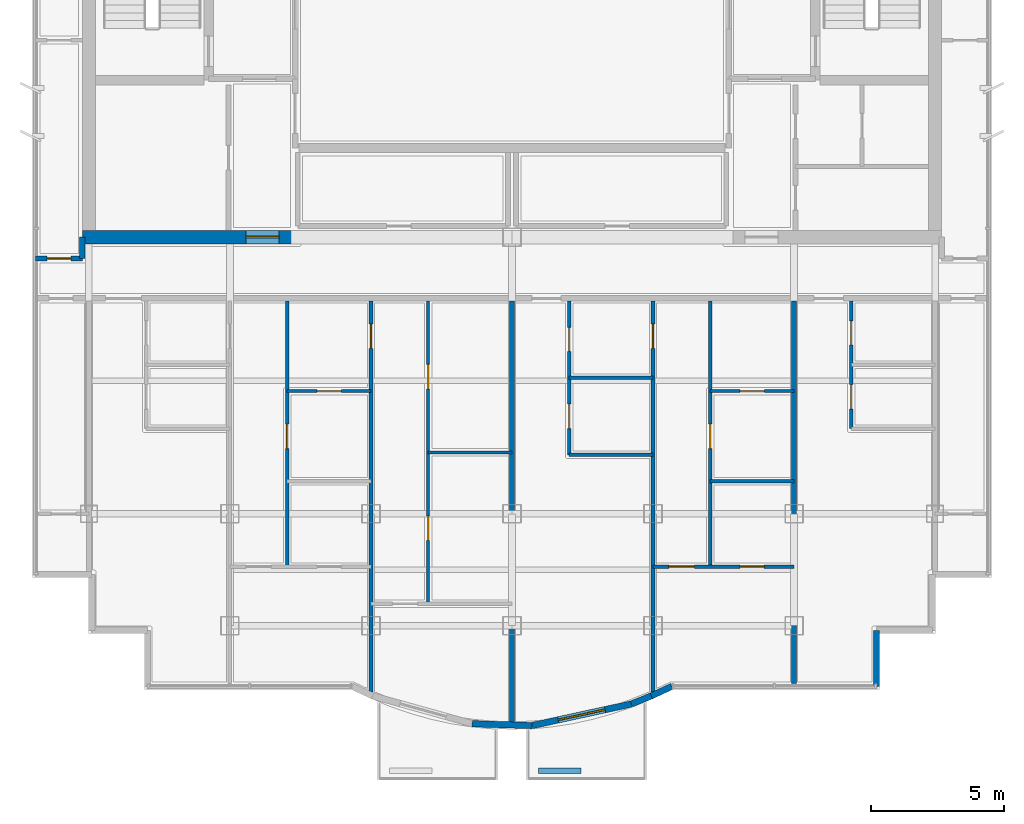
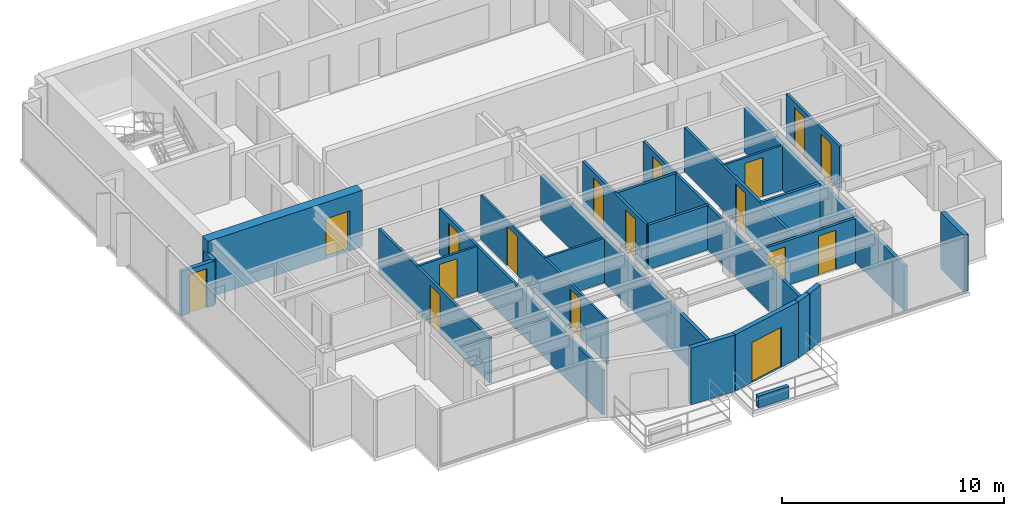
# One storey, part 6 of 11: 25 walls, 17 doors, 17 openings.
"""IFC4 building model written with IfcOpenShell, lengths in metres."""

from ifc_helpers import new_model, si_unit, direction, frame, frame_2d, origin, place, context, subcontext, project, spatial, rectangle, extrude, material, layer, layer_set, type_object, element, fill, save


model = new_model("IFC4")

# Units and contexts
model_context = context("Model", 3, precision=1e-05, world=origin(), true_north=direction((0.0, 1.0)))
body_context = subcontext(model_context, "Body", "Model", "MODEL_VIEW")
ifc_project = project(units=[si_unit("LENGTHUNIT", "METRE"), si_unit("AREAUNIT", "SQUARE_METRE"), si_unit("VOLUMEUNIT", "CUBIC_METRE"), si_unit("PLANEANGLEUNIT", "RADIAN"), si_unit("MASSUNIT", "GRAM", prefix="KILO")], contexts=[model_context])

# Site, building, storey
site_placement = place(None, origin())
site = spatial("IfcSite", under=ifc_project, at=site_placement, CompositionType="ELEMENT")
building_placement = place(site_placement, origin())
building = spatial("IfcBuilding", under=site, at=building_placement, Name="Qianlan Lanfeng Residences", CompositionType="ELEMENT")
storey_placement = place(building_placement, frame((0.0, 0.0, 256.10009765625)))
storey = spatial("IfcBuildingStorey", under=building, at=storey_placement, Name="L71", CompositionType="ELEMENT", Elevation=256.10009765625)

# Wall, opening, door
ifc_material_1 = material(Name="Concrete C70", Category="concrete")
ifc_layer_1 = layer(ifc_material_1, 0.5)
ifc_layer_set_1 = layer_set([ifc_layer_1], Name="Concrete C70")
wall_type_1 = type_object("IfcWallType", Name="CW-RC-500", PredefinedType="SHEAR", material=ifc_layer_set_1)
wall_1_placement = place(storey_placement, frame((10.35009765625, 25.199951171875, 0.0), z_axis=(0.0, 0.0, 1.0), x_axis=(1.0, 0.0, 0.0)))
wall_1 = element("IfcWall", 1, at=wall_1_placement, inside=storey, type_object=wall_type_1, Name="L71 Core Shear Wall SW", PredefinedType="SHEAR", context=body_context, shape_type="SweptSolid", body=[
    extrude(rectangle(XDim=8.0498046875, YDim=0.5, at=frame_2d((4.02490234375, 0.0))), origin(), (0.0, 0.0, 1.0), 3.10986328125),
])
opening_1_placement = place(wall_1_placement, frame((6.14990234375, 0.0, 0.0)))
opening_1 = element("IfcOpeningElement", 2, at=opening_1_placement, cuts=wall_1, Name="Opening L71-D01", PredefinedType="OPENING", context=body_context, shape_type="SweptSolid", body=[
    extrude(rectangle(XDim=1.25, YDim=2.199951171875, at=frame_2d((0.625, 1.10009765625))), frame((0.0, 0.260009765625, 0.0), z_axis=(0.0, -1.0, 0.0), x_axis=(1.0, 0.0, 0.0)), (0.0, 0.0, 1.0), 0.52001953125),
])
ifc_material_2 = material(Name="Painted Galvanised Steel Fire Door", Category="steel")
door_type_1 = type_object("IfcDoorType", Name="DT-FFL", OperationType="NOTDEFINED", PredefinedType="DOOR", material=ifc_material_2)
door_1_placement = place(opening_1_placement, frame((1.25, 0.0, 0.0), z_axis=(0.0, 0.0, 1.0), x_axis=(-1.0, 0.0, 0.0)))
door_1 = element("IfcDoor", 3, at=door_1_placement, inside=storey, type_object=door_type_1, Name="L71 West Core Lobby Smoke Door L71-D01 (DT-FFL)", OperationType="SINGLE_SWING_RIGHT", OverallHeight=2.199951171875, OverallWidth=1.25, PredefinedType="DOOR", context=body_context, shape_type="SweptSolid", body=[
    extrude(rectangle(XDim=1.25, YDim=2.199951171875, at=frame_2d((0.625, 1.10009765625))), frame((0.0, 0.02490234375, 0.0), z_axis=(0.0, -1.0, 0.0), x_axis=(1.0, 0.0, 0.0)), (0.0, 0.0, 1.0), 0.050048828125),
])
fill(opening_1, door_1)

# Wall
ifc_material_3 = material(Name="Concrete C42", Category="concrete")
ifc_layer_2 = layer(ifc_material_3, 0.239990234375)
ifc_layer_set_2 = layer_set([ifc_layer_2], Name="Concrete C42")
wall_type_2 = type_object("IfcWallType", Name="EW-240", PredefinedType="SOLIDWALL", material=ifc_layer_set_2)
wall_2_placement = place(storey_placement, frame((25.0048828125, 6.9130859375, 0.0), z_axis=(0.0, 0.0, 1.0), x_axis=(0.99951250052, -0.031221167572, 0.0)))
element("IfcWall", 4, at=wall_2_placement, inside=storey, type_object=wall_type_2, Name="L71 Exterior Facade Spandrel Wall 7", PredefinedType="SOLIDWALL", context=body_context, shape_type="SweptSolid", body=[
    extrude(rectangle(XDim=2.244140625, YDim=0.239990234375, at=frame_2d((1.1220703125, 0.0))), origin(), (0.0, 0.0, 1.0), 3.10986328125),
])

# Wall, opening, door
wall_3_placement = place(storey_placement, frame((27.248046875, 6.843017578125, 0.0), z_axis=(0.0, 0.0, 1.0), x_axis=(0.977126252677, 0.212660025225, 0.0)))
wall_3 = element("IfcWall", 5, at=wall_3_placement, inside=storey, type_object=wall_type_2, Name="L71 Terrace/Balcony Access Exterior Wall 8", PredefinedType="SOLIDWALL", context=body_context, shape_type="SweptSolid", body=[
    extrude(rectangle(XDim=3.82763671875, YDim=0.239990234375, at=frame_2d((1.913818359375, 0.0))), origin(), (0.0, 0.0, 1.0), 3.10986328125),
])
opening_2_placement = place(wall_3_placement, frame((1.013916015625, 0.0, 0.0)))
opening_2 = element("IfcOpeningElement", 6, at=opening_2_placement, cuts=wall_3, Name="Opening L71-D-SB-E", PredefinedType="OPENING", context=body_context, shape_type="SweptSolid", body=[
    extrude(rectangle(XDim=1.800048828125, YDim=2.199951171875, at=frame_2d((0.89990234375, 1.10009765625))), frame((0.0, 0.1298828125, 0.0), z_axis=(0.0, -1.0, 0.0), x_axis=(1.0, 0.0, 0.0)), (0.0, 0.0, 1.0), 0.260009765625),
])
ifc_material_4 = material(Name="Anodised Bronze Aluminium Framed Glass", Category="aluminium")
door_type_2 = type_object("IfcDoorType", Name="DT-BAL1", OperationType="NOTDEFINED", PredefinedType="DOOR", material=ifc_material_4)
door_2_placement = place(opening_2_placement, frame((1.800048828125, 0.0, 0.0), z_axis=(0.0, 0.0, 1.0), x_axis=(-1.0, 0.0, 0.0)))
door_2 = element("IfcDoor", 7, at=door_2_placement, inside=storey, type_object=door_type_2, Name="L71 Exterior Access Door SB-E", OperationType="DOUBLE_DOOR_SLIDING", OverallHeight=2.199951171875, OverallWidth=1.800048828125, PredefinedType="DOOR", context=body_context, shape_type="SweptSolid", body=[
    extrude(rectangle(XDim=1.800048828125, YDim=2.199951171875, at=frame_2d((0.89990234375, 1.10009765625))), frame((0.0, 0.02490234375, 0.0), z_axis=(0.0, -1.0, 0.0), x_axis=(1.0, 0.0, 0.0)), (0.0, 0.0, 1.0), 0.050048828125),
])
fill(opening_2, door_2)

# Walls
wall_4_placement = place(storey_placement, frame((30.988037109375, 7.656982421875, 0.0), z_axis=(0.0, 0.0, 1.0), x_axis=(0.927870589467, 0.372902358805, 0.0)))
element("IfcWall", 8, at=wall_4_placement, inside=storey, type_object=wall_type_2, Name="L71 Exterior Facade Spandrel Wall 9", PredefinedType="SOLIDWALL", context=body_context, shape_type="SweptSolid", body=[
    extrude(rectangle(XDim=0.80712890625, YDim=0.239990234375, at=frame_2d((0.403564453125, 0.0))), origin(), (0.0, 0.0, 1.0), 3.10986328125),
])
wall_5_placement = place(storey_placement, frame((31.737060546875, 7.9580078125, 0.0), z_axis=(0.0, 0.0, 1.0), x_axis=(0.906190424584, 0.422869855147, 0.0)))
element("IfcWall", 9, at=wall_5_placement, inside=storey, type_object=wall_type_2, Name="L71 Exterior Facade Spandrel Wall 10", PredefinedType="SOLIDWALL", context=body_context, shape_type="SweptSolid", body=[
    extrude(rectangle(XDim=0.856201171875, YDim=0.239990234375, at=frame_2d((0.42822265625, 0.0))), origin(), (0.0, 0.0, 1.0), 3.10986328125),
])
wall_6_placement = place(storey_placement, frame((40.199951171875, 8.320068359375, 0.0), z_axis=(0.0, 0.0, 1.0), x_axis=(0.0, 1.0, 0.0)))
element("IfcWall", 10, at=wall_6_placement, inside=storey, type_object=wall_type_2, Name="L71 Exterior Facade Spandrel Wall 11", PredefinedType="SOLIDWALL", context=body_context, shape_type="SweptSolid", body=[
    extrude(rectangle(XDim=2.099853515625, YDim=0.239990234375, at=frame_2d((1.0498046875, 0.0))), origin(), (0.0, 0.0, 1.0), 3.10986328125),
])
ifc_layer_3 = layer(ifc_material_3, 0.199951171875)
ifc_layer_set_3 = layer_set([ifc_layer_3], Name="Concrete C42")
wall_type_3 = type_object("IfcWallType", Name="PL-TREE-200", PredefinedType="PARAPET", material=ifc_layer_set_3)
wall_7_placement = place(storey_placement, frame((27.5, 5.14990234375, 0.0), z_axis=(0.0, 0.0, 1.0), x_axis=(1.0, 0.0, 0.0)))
element("IfcWall", 11, at=wall_7_placement, inside=storey, type_object=wall_type_3, Name="L71 Balcony Tree Planter Curb SB-E", PredefinedType="PARAPET", context=body_context, shape_type="SweptSolid", body=[
    extrude(rectangle(XDim=1.60009765625, YDim=0.199951171875, at=frame_2d((0.800048828125, 0.0))), origin(), (0.0, 0.0, 1.0), 0.64990234375),
])

# Wall, opening, door
ifc_material_5 = material(Name="Demountable Acoustic Framing Partition 110 mm")
ifc_layer_4 = layer(ifc_material_5, 0.110107421875)
ifc_layer_set_4 = layer_set([ifc_layer_4], Name="Demountable Acoustic Framing Partition 110 mm")
wall_type_4 = type_object("IfcWallType", Name="PW-110", PredefinedType="MOVABLE", material=ifc_layer_set_4)
wall_8_placement = place(storey_placement, frame((18.050048828125, 19.409912109375, 0.0), z_axis=(0.0, 0.0, 1.0), x_axis=(1.0, 0.0, 0.0)))
wall_8 = element("IfcWall", 12, at=wall_8_placement, inside=storey, type_object=wall_type_4, Name="L71 U01 Wardrobe Split", PredefinedType="MOVABLE", context=body_context, shape_type="SweptSolid", body=[
    extrude(rectangle(XDim=3.14990234375, YDim=0.110107421875, at=frame_2d((1.574951171875, 0.0))), origin(), (0.0, 0.0, 1.0), 2.449951171875),
])
opening_3_placement = place(wall_8_placement, frame((1.114990234375, 0.0, 0.0)))
opening_3 = element("IfcOpeningElement", 13, at=opening_3_placement, cuts=wall_8, Name="Opening L71-D25", PredefinedType="OPENING", context=body_context, shape_type="SweptSolid", body=[
    extrude(rectangle(XDim=0.919921875, YDim=2.14990234375, at=frame_2d((0.4599609375, 1.074951171875))), frame((0.0, 0.06494140625, 0.0), z_axis=(0.0, -1.0, 0.0), x_axis=(1.0, 0.0, 0.0)), (0.0, 0.0, 1.0), 0.130126953125),
])
ifc_material_6 = material(Name="Glazed Timber Kitchen/Study Door", Category="wood")
door_type_3 = type_object("IfcDoorType", Name="DT-INT", OperationType="NOTDEFINED", PredefinedType="DOOR", material=ifc_material_6)
door_3_placement = place(opening_3_placement, origin())
door_3 = element("IfcDoor", 14, at=door_3_placement, inside=storey, type_object=door_type_3, Name="L71 U01 Dressing Inner Door L71-D25 (DT-INT)", OperationType="SINGLE_SWING_LEFT", OverallHeight=2.14990234375, OverallWidth=0.919921875, PredefinedType="DOOR", context=body_context, shape_type="SweptSolid", body=[
    extrude(rectangle(XDim=0.919921875, YDim=2.14990234375, at=frame_2d((0.4599609375, 1.074951171875))), frame((0.0, 0.02490234375, 0.0), z_axis=(0.0, -1.0, 0.0), x_axis=(1.0, 0.0, 0.0)), (0.0, 0.0, 1.0), 0.050048828125),
])
fill(opening_3, door_3)

# Wall, openings, doors
wall_9_placement = place(storey_placement, frame((23.35009765625, 11.419921875, 0.0), z_axis=(0.0, 0.0, 1.0), x_axis=(0.0, 1.0, 0.0)))
wall_9 = element("IfcWall", 15, at=wall_9_placement, inside=storey, type_object=wall_type_4, Name="L71 U01 Bedroom 2 Hall Wall", PredefinedType="MOVABLE", context=body_context, shape_type="SweptSolid", body=[
    extrude(rectangle(XDim=11.380126953125, YDim=0.110107421875, at=frame_2d((5.68994140625, 0.0))), origin(), (0.0, 0.0, 1.0), 2.449951171875),
])
opening_4_placement = place(wall_9_placement, frame((2.385009765625, 0.0, 0.0)))
opening_4 = element("IfcOpeningElement", 16, at=opening_4_placement, cuts=wall_9, Name="Opening L71-D27", PredefinedType="OPENING", context=body_context, shape_type="SweptSolid", body=[
    extrude(rectangle(XDim=0.919921875, YDim=2.14990234375, at=frame_2d((0.4599609375, 1.074951171875))), frame((0.0, 0.06494140625, 0.0), z_axis=(0.0, -1.0, 0.0), x_axis=(1.0, 0.0, 0.0)), (0.0, 0.0, 1.0), 0.130126953125),
])
opening_5_placement = place(wall_9_placement, frame((8.074951171875, 0.0, 0.0)))
opening_5 = element("IfcOpeningElement", 17, at=opening_5_placement, cuts=wall_9, Name="Opening L71-D28", PredefinedType="OPENING", context=body_context, shape_type="SweptSolid", body=[
    extrude(rectangle(XDim=0.919921875, YDim=2.14990234375, at=frame_2d((0.4599609375, 1.074951171875))), frame((0.0, 0.06494140625, 0.0), z_axis=(0.0, -1.0, 0.0), x_axis=(1.0, 0.0, 0.0)), (0.0, 0.0, 1.0), 0.130126953125),
])
door_4_placement = place(opening_4_placement, origin())
door_4 = element("IfcDoor", 18, at=door_4_placement, inside=storey, type_object=door_type_3, Name="L71 U01 Utility Door L71-D27 (DT-INT)", OperationType="SINGLE_SWING_LEFT", OverallHeight=2.14990234375, OverallWidth=0.919921875, PredefinedType="DOOR", context=body_context, shape_type="SweptSolid", body=[
    extrude(rectangle(XDim=0.919921875, YDim=2.14990234375, at=frame_2d((0.4599609375, 1.074951171875))), frame((0.0, 0.02490234375, 0.0), z_axis=(0.0, -1.0, 0.0), x_axis=(1.0, 0.0, 0.0)), (0.0, 0.0, 1.0), 0.050048828125),
])
fill(opening_4, door_4)
door_5_placement = place(opening_5_placement, origin())
door_5 = element("IfcDoor", 19, at=door_5_placement, inside=storey, type_object=door_type_3, Name="L71 U01 Specialty Door L71-D28 (DT-INT)", OperationType="SINGLE_SWING_RIGHT", OverallHeight=2.14990234375, OverallWidth=0.919921875, PredefinedType="DOOR", context=body_context, shape_type="SweptSolid", body=[
    extrude(rectangle(XDim=0.919921875, YDim=2.14990234375, at=frame_2d((0.4599609375, 1.074951171875))), frame((0.0, 0.02490234375, 0.0), z_axis=(0.0, -1.0, 0.0), x_axis=(1.0, 0.0, 0.0)), (0.0, 0.0, 1.0), 0.050048828125),
])
fill(opening_5, door_5)

# Wall
wall_10_placement = place(storey_placement, frame((23.35009765625, 17.110107421875, 0.0), z_axis=(0.0, 0.0, 1.0), x_axis=(1.0, 0.0, 0.0)))
element("IfcWall", 20, at=wall_10_placement, inside=storey, type_object=wall_type_4, Name="L71 U01 Specialty Split Wall", PredefinedType="MOVABLE", context=body_context, shape_type="SweptSolid", body=[
    extrude(rectangle(XDim=3.14990234375, YDim=0.110107421875, at=frame_2d((1.574951171875, 0.0))), origin(), (0.0, 0.0, 1.0), 2.449951171875),
])

# Wall, opening, door
wall_11_placement = place(storey_placement, frame((33.949951171875, 19.409912109375, 0.0), z_axis=(0.0, 0.0, 1.0), x_axis=(1.0, 0.0, 0.0)))
wall_11 = element("IfcWall", 21, at=wall_11_placement, inside=storey, type_object=wall_type_4, Name="L71 U02 Wardrobe Split", PredefinedType="MOVABLE", context=body_context, shape_type="SweptSolid", body=[
    extrude(rectangle(XDim=3.150146484375, YDim=0.110107421875, at=frame_2d((1.5751953125, 0.0))), origin(), (0.0, 0.0, 1.0), 2.449951171875),
])
opening_6_placement = place(wall_11_placement, frame((1.114990234375, 0.0, 0.0)))
opening_6 = element("IfcOpeningElement", 22, at=opening_6_placement, cuts=wall_11, Name="Opening L71-D36", PredefinedType="OPENING", context=body_context, shape_type="SweptSolid", body=[
    extrude(rectangle(XDim=0.919921875, YDim=2.14990234375, at=frame_2d((0.4599609375, 1.074951171875))), frame((0.0, 0.06494140625, 0.0), z_axis=(0.0, -1.0, 0.0), x_axis=(1.0, 0.0, 0.0)), (0.0, 0.0, 1.0), 0.130126953125),
])
door_6_placement = place(opening_6_placement, origin())
door_6 = element("IfcDoor", 23, at=door_6_placement, inside=storey, type_object=door_type_3, Name="L71 U02 Dressing Inner Door L71-D36 (DT-INT)", OperationType="SINGLE_SWING_RIGHT", OverallHeight=2.14990234375, OverallWidth=0.919921875, PredefinedType="DOOR", context=body_context, shape_type="SweptSolid", body=[
    extrude(rectangle(XDim=0.919921875, YDim=2.14990234375, at=frame_2d((0.4599609375, 1.074951171875))), frame((0.0, 0.02490234375, 0.0), z_axis=(0.0, -1.0, 0.0), x_axis=(1.0, 0.0, 0.0)), (0.0, 0.0, 1.0), 0.050048828125),
])
fill(opening_6, door_6)

ifc_material_7 = material(Name="Moisture-Resistant Gypsum Partition 135 mm")
ifc_layer_5 = layer(ifc_material_7, 0.135009765625)
ifc_layer_set_5 = layer_set([ifc_layer_5], Name="Moisture-Resistant Gypsum Partition 135 mm")
wall_type_5 = type_object("IfcWallType", Name="PW-135", PredefinedType="PARTITIONING", material=ifc_layer_set_5)
wall_12_placement = place(storey_placement, frame((21.199951171875, 8.097900390625, 0.0), z_axis=(0.0, 0.0, 1.0), x_axis=(0.0, 1.0, 0.0)))
wall_12 = element("IfcWall", 24, at=wall_12_placement, inside=storey, type_object=wall_type_5, Name="L71 U01 Bay Spine Wall 2", PredefinedType="PARTITIONING", context=body_context, shape_type="SweptSolid", body=[
    extrude(rectangle(XDim=14.7021484375, YDim=0.135009765625, at=frame_2d((7.35107421875, 0.0))), origin(), (0.0, 0.0, 1.0), 2.449951171875),
])
opening_7_placement = place(wall_12_placement, frame((12.9169921875, 0.0, 0.0)))
opening_7 = element("IfcOpeningElement", 25, at=opening_7_placement, cuts=wall_12, Name="Opening L71-D19", PredefinedType="OPENING", context=body_context, shape_type="SweptSolid", body=[
    extrude(rectangle(XDim=0.919921875, YDim=2.14990234375, at=frame_2d((0.4599609375, 1.074951171875))), frame((0.0, 0.07763671875, 0.0), z_axis=(0.0, -1.0, 0.0), x_axis=(1.0, 0.0, 0.0)), (0.0, 0.0, 1.0), 0.155029296875),
])
door_7_placement = place(opening_7_placement, origin())
door_7 = element("IfcDoor", 26, at=door_7_placement, inside=storey, type_object=door_type_3, Name="L71 U01 Internal Hall Door L71-D19 (DT-INT)", OperationType="SINGLE_SWING_LEFT", OverallHeight=2.14990234375, OverallWidth=0.919921875, PredefinedType="DOOR", context=body_context, shape_type="SweptSolid", body=[
    extrude(rectangle(XDim=0.919921875, YDim=2.14990234375, at=frame_2d((0.4599609375, 1.074951171875))), frame((0.0, 0.02490234375, 0.0), z_axis=(0.0, -1.0, 0.0), x_axis=(1.0, 0.0, 0.0)), (0.0, 0.0, 1.0), 0.050048828125),
])
fill(opening_7, door_7)

wall_13_placement = place(storey_placement, frame((18.050048828125, 12.820068359375, 0.0), z_axis=(0.0, 0.0, 1.0), x_axis=(0.0, 1.0, 0.0)))
wall_13 = element("IfcWall", 27, at=wall_13_placement, inside=storey, type_object=wall_type_5, Name="L71 U01 Master Passage Wall", PredefinedType="PARTITIONING", context=body_context, shape_type="SweptSolid", body=[
    extrude(rectangle(XDim=9.97998046875, YDim=0.135009765625, at=frame_2d((4.989990234375, 0.0))), origin(), (0.0, 0.0, 1.0), 2.449951171875),
])
opening_8_placement = place(wall_13_placement, frame((4.43505859375, 0.0, 0.0)))
opening_8 = element("IfcOpeningElement", 28, at=opening_8_placement, cuts=wall_13, Name="Opening L71-D24", PredefinedType="OPENING", context=body_context, shape_type="SweptSolid", body=[
    extrude(rectangle(XDim=0.919921875, YDim=2.14990234375, at=frame_2d((0.4599609375, 1.074951171875))), frame((0.0, 0.07763671875, 0.0), z_axis=(0.0, -1.0, 0.0), x_axis=(1.0, 0.0, 0.0)), (0.0, 0.0, 1.0), 0.155029296875),
])
door_8_placement = place(opening_8_placement, origin())
door_8 = element("IfcDoor", 29, at=door_8_placement, inside=storey, type_object=door_type_3, Name="L71 U01 Wardrobe Door L71-D24 (DT-INT)", OperationType="SINGLE_SWING_RIGHT", OverallHeight=2.14990234375, OverallWidth=0.919921875, PredefinedType="DOOR", context=body_context, shape_type="SweptSolid", body=[
    extrude(rectangle(XDim=0.919921875, YDim=2.14990234375, at=frame_2d((0.4599609375, 1.074951171875))), frame((0.0, 0.02490234375, 0.0), z_axis=(0.0, -1.0, 0.0), x_axis=(1.0, 0.0, 0.0)), (0.0, 0.0, 1.0), 0.050048828125),
])
fill(opening_8, door_8)

wall_14_placement = place(storey_placement, frame((31.800048828125, 8.097900390625, 0.0), z_axis=(0.0, 0.0, 1.0), x_axis=(0.0, 1.0, 0.0)))
wall_14 = element("IfcWall", 30, at=wall_14_placement, inside=storey, type_object=wall_type_5, Name="L71 U02 Bay Spine Wall 1", PredefinedType="PARTITIONING", context=body_context, shape_type="SweptSolid", body=[
    extrude(rectangle(XDim=14.7021484375, YDim=0.135009765625, at=frame_2d((7.35107421875, 0.0))), origin(), (0.0, 0.0, 1.0), 2.449951171875),
])
opening_9_placement = place(wall_14_placement, frame((12.9169921875, 0.0, 0.0)))
opening_9 = element("IfcOpeningElement", 31, at=opening_9_placement, cuts=wall_14, Name="Opening L71-D30", PredefinedType="OPENING", context=body_context, shape_type="SweptSolid", body=[
    extrude(rectangle(XDim=0.919921875, YDim=2.14990234375, at=frame_2d((0.4599609375, 1.074951171875))), frame((0.0, 0.07763671875, 0.0), z_axis=(0.0, -1.0, 0.0), x_axis=(1.0, 0.0, 0.0)), (0.0, 0.0, 1.0), 0.155029296875),
])
door_9_placement = place(opening_9_placement, origin())
door_9 = element("IfcDoor", 32, at=door_9_placement, inside=storey, type_object=door_type_3, Name="L71 U02 Internal Hall Door L71-D30 (DT-INT)", OperationType="SINGLE_SWING_RIGHT", OverallHeight=2.14990234375, OverallWidth=0.919921875, PredefinedType="DOOR", context=body_context, shape_type="SweptSolid", body=[
    extrude(rectangle(XDim=0.919921875, YDim=2.14990234375, at=frame_2d((0.4599609375, 1.074951171875))), frame((0.0, 0.02490234375, 0.0), z_axis=(0.0, -1.0, 0.0), x_axis=(1.0, 0.0, 0.0)), (0.0, 0.0, 1.0), 0.050048828125),
])
fill(opening_9, door_9)

# Wall, openings, doors
wall_15_placement = place(storey_placement, frame((28.64990234375, 17.02001953125, 0.0), z_axis=(0.0, 0.0, 1.0), x_axis=(0.0, 1.0, 0.0)))
wall_15 = element("IfcWall", 33, at=wall_15_placement, inside=storey, type_object=wall_type_5, Name="L71 U02 Wet Stack Spine", PredefinedType="PARTITIONING", context=body_context, shape_type="SweptSolid", body=[
    extrude(rectangle(XDim=5.780029296875, YDim=0.135009765625, at=frame_2d((2.89013671875, 0.0))), origin(), (0.0, 0.0, 1.0), 2.449951171875),
])
opening_10_placement = place(wall_15_placement, frame((0.985107421875, 0.0, 0.0)))
opening_10 = element("IfcOpeningElement", 34, at=opening_10_placement, cuts=wall_15, Name="Opening L71-D31", PredefinedType="OPENING", context=body_context, shape_type="SweptSolid", body=[
    extrude(rectangle(XDim=0.919921875, YDim=2.14990234375, at=frame_2d((0.4599609375, 1.074951171875))), frame((0.0, 0.07763671875, 0.0), z_axis=(0.0, -1.0, 0.0), x_axis=(1.0, 0.0, 0.0)), (0.0, 0.0, 1.0), 0.155029296875),
])
opening_11_placement = place(wall_15_placement, frame((3.885009765625, 0.0, 0.0)))
opening_11 = element("IfcOpeningElement", 35, at=opening_11_placement, cuts=wall_15, Name="Opening L71-D32", PredefinedType="OPENING", context=body_context, shape_type="SweptSolid", body=[
    extrude(rectangle(XDim=0.89990234375, YDim=2.14990234375, at=frame_2d((0.449951171875, 1.074951171875))), frame((0.0, 0.07763671875, 0.0), z_axis=(0.0, -1.0, 0.0), x_axis=(1.0, 0.0, 0.0)), (0.0, 0.0, 1.0), 0.155029296875),
])
door_10_placement = place(opening_10_placement, origin())
door_10 = element("IfcDoor", 36, at=door_10_placement, inside=storey, type_object=door_type_3, Name="L71 U02 Kitchen Door L71-D31 (DT-INT)", OperationType="SINGLE_SWING_LEFT", OverallHeight=2.14990234375, OverallWidth=0.919921875, PredefinedType="DOOR", context=body_context, shape_type="SweptSolid", body=[
    extrude(rectangle(XDim=0.919921875, YDim=2.14990234375, at=frame_2d((0.4599609375, 1.074951171875))), frame((0.0, 0.02490234375, 0.0), z_axis=(0.0, -1.0, 0.0), x_axis=(1.0, 0.0, 0.0)), (0.0, 0.0, 1.0), 0.050048828125),
])
fill(opening_10, door_10)
ifc_material_8 = material(Name="Moisture-Resistant Timber Leaf", Category="wood")
door_type_4 = type_object("IfcDoorType", Name="DT-WC", OperationType="NOTDEFINED", PredefinedType="DOOR", material=ifc_material_8)
door_11_placement = place(opening_11_placement, origin())
door_11 = element("IfcDoor", 37, at=door_11_placement, inside=storey, type_object=door_type_4, Name="L71 U02 Bathroom Door L71-D32 (DT-WC)", OperationType="SINGLE_SWING_RIGHT", OverallHeight=2.14990234375, OverallWidth=0.89990234375, PredefinedType="DOOR", context=body_context, shape_type="SweptSolid", body=[
    extrude(rectangle(XDim=0.89990234375, YDim=2.14990234375, at=frame_2d((0.449951171875, 1.074951171875))), frame((0.0, 0.02490234375, 0.0), z_axis=(0.0, -1.0, 0.0), x_axis=(1.0, 0.0, 0.0)), (0.0, 0.0, 1.0), 0.050048828125),
])
fill(opening_11, door_11)

# Walls
for number, where, z_axis, x_axis, name in (
    (38, (28.64990234375, 17.02001953125, 0.0), (0.0, 0.0, 1.0), (1.0, 0.0, 0.0), "L71 U02 Kitchen South Wall"),
    (39, (28.64990234375, 19.909912109375, 0.0), (0.0, 0.0, 1.0), (1.0, 0.0, 0.0), "L71 U02 Bathroom South Wall"),
):
    element("IfcWall", number, at=place(storey_placement, frame(where, z_axis=z_axis, x_axis=x_axis)), inside=storey, type_object=wall_type_5, Name=name, PredefinedType="PARTITIONING", context=body_context, shape_type="SweptSolid", body=[
        extrude(rectangle(XDim=3.150146484375, YDim=0.135009765625, at=frame_2d((1.5751953125, 0.0))), origin(), (0.0, 0.0, 1.0), 2.449951171875),
    ])

# Wall, openings, doors
wall_16_placement = place(storey_placement, frame((31.800048828125, 12.820068359375, 0.0), z_axis=(0.0, 0.0, 1.0), x_axis=(1.0, 0.0, 0.0)))
wall_16 = element("IfcWall", 40, at=wall_16_placement, inside=storey, type_object=wall_type_5, Name="L71 U02 Master Bedroom North Wall", PredefinedType="PARTITIONING", context=body_context, shape_type="SweptSolid", body=[
    extrude(rectangle(XDim=5.300048828125, YDim=0.135009765625, at=frame_2d((2.64990234375, 0.0))), origin(), (0.0, 0.0, 1.0), 2.449951171875),
])
opening_12_placement = place(wall_16_placement, frame((0.60009765625, 0.0, 0.0)))
opening_12 = element("IfcOpeningElement", 41, at=opening_12_placement, cuts=wall_16, Name="Opening L71-D33", PredefinedType="OPENING", context=body_context, shape_type="SweptSolid", body=[
    extrude(rectangle(XDim=0.949951171875, YDim=2.14990234375, at=frame_2d((0.47509765625, 1.074951171875))), frame((0.0, 0.07763671875, 0.0), z_axis=(0.0, -1.0, 0.0), x_axis=(1.0, 0.0, 0.0)), (0.0, 0.0, 1.0), 0.155029296875),
])
opening_13_placement = place(wall_16_placement, frame((3.27490234375, 0.0, 0.0)))
opening_13 = element("IfcOpeningElement", 42, at=opening_13_placement, cuts=wall_16, Name="Opening L71-D34", PredefinedType="OPENING", context=body_context, shape_type="SweptSolid", body=[
    extrude(rectangle(XDim=0.89990234375, YDim=2.14990234375, at=frame_2d((0.449951171875, 1.074951171875))), frame((0.0, 0.07763671875, 0.0), z_axis=(0.0, -1.0, 0.0), x_axis=(1.0, 0.0, 0.0)), (0.0, 0.0, 1.0), 0.155029296875),
])
ifc_material_9 = material(Name="Painted Solid-Core Timber Leaf", Category="wood")
door_type_5 = type_object("IfcDoorType", Name="DT-BED", OperationType="NOTDEFINED", PredefinedType="DOOR", material=ifc_material_9)
door_12_placement = place(opening_12_placement, frame((0.949951171875, 0.0, 0.0), z_axis=(0.0, 0.0, 1.0), x_axis=(-1.0, 0.0, 0.0)))
door_12 = element("IfcDoor", 43, at=door_12_placement, inside=storey, type_object=door_type_5, Name="L71 U02 Master Bedroom Door L71-D33 (DT-BED)", OperationType="SINGLE_SWING_RIGHT", OverallHeight=2.14990234375, OverallWidth=0.949951171875, PredefinedType="DOOR", context=body_context, shape_type="SweptSolid", body=[
    extrude(rectangle(XDim=0.949951171875, YDim=2.14990234375, at=frame_2d((0.47509765625, 1.074951171875))), frame((0.0, 0.02490234375, 0.0), z_axis=(0.0, -1.0, 0.0), x_axis=(1.0, 0.0, 0.0)), (0.0, 0.0, 1.0), 0.050048828125),
])
fill(opening_12, door_12)
door_13_placement = place(opening_13_placement, origin())
door_13 = element("IfcDoor", 44, at=door_13_placement, inside=storey, type_object=door_type_4, Name="L71 U02 En-Suite Bathroom Door L71-D34 (DT-WC)", OperationType="SINGLE_SWING_RIGHT", OverallHeight=2.14990234375, OverallWidth=0.89990234375, PredefinedType="DOOR", context=body_context, shape_type="SweptSolid", body=[
    extrude(rectangle(XDim=0.89990234375, YDim=2.14990234375, at=frame_2d((0.449951171875, 1.074951171875))), frame((0.0, 0.02490234375, 0.0), z_axis=(0.0, -1.0, 0.0), x_axis=(1.0, 0.0, 0.0)), (0.0, 0.0, 1.0), 0.050048828125),
])
fill(opening_13, door_13)

# Wall, opening, door
wall_17_placement = place(storey_placement, frame((33.949951171875, 12.820068359375, 0.0), z_axis=(0.0, 0.0, 1.0), x_axis=(0.0, 1.0, 0.0)))
wall_17 = element("IfcWall", 45, at=wall_17_placement, inside=storey, type_object=wall_type_5, Name="L71 U02 Master Passage Wall", PredefinedType="PARTITIONING", context=body_context, shape_type="SweptSolid", body=[
    extrude(rectangle(XDim=9.97998046875, YDim=0.135009765625, at=frame_2d((4.989990234375, 0.0))), origin(), (0.0, 0.0, 1.0), 2.449951171875),
])
opening_14_placement = place(wall_17_placement, frame((4.43505859375, 0.0, 0.0)))
opening_14 = element("IfcOpeningElement", 46, at=opening_14_placement, cuts=wall_17, Name="Opening L71-D35", PredefinedType="OPENING", context=body_context, shape_type="SweptSolid", body=[
    extrude(rectangle(XDim=0.919921875, YDim=2.14990234375, at=frame_2d((0.4599609375, 1.074951171875))), frame((0.0, 0.07763671875, 0.0), z_axis=(0.0, -1.0, 0.0), x_axis=(1.0, 0.0, 0.0)), (0.0, 0.0, 1.0), 0.155029296875),
])
door_14_placement = place(opening_14_placement, origin())
door_14 = element("IfcDoor", 47, at=door_14_placement, inside=storey, type_object=door_type_3, Name="L71 U02 Wardrobe Door L71-D35 (DT-INT)", OperationType="SINGLE_SWING_LEFT", OverallHeight=2.14990234375, OverallWidth=0.919921875, PredefinedType="DOOR", context=body_context, shape_type="SweptSolid", body=[
    extrude(rectangle(XDim=0.919921875, YDim=2.14990234375, at=frame_2d((0.4599609375, 1.074951171875))), frame((0.0, 0.02490234375, 0.0), z_axis=(0.0, -1.0, 0.0), x_axis=(1.0, 0.0, 0.0)), (0.0, 0.0, 1.0), 0.050048828125),
])
fill(opening_14, door_14)

# Wall
wall_18_placement = place(storey_placement, frame((33.949951171875, 16.02001953125, 0.0), z_axis=(0.0, 0.0, 1.0), x_axis=(1.0, 0.0, 0.0)))
element("IfcWall", 48, at=wall_18_placement, inside=storey, type_object=wall_type_5, Name="L71 U02 En-Suite North Wall", PredefinedType="PARTITIONING", context=body_context, shape_type="SweptSolid", body=[
    extrude(rectangle(XDim=3.150146484375, YDim=0.135009765625, at=frame_2d((1.5751953125, 0.0))), origin(), (0.0, 0.0, 1.0), 2.449951171875),
])

# Wall, openings, doors
wall_19_placement = place(storey_placement, frame((39.25, 18.0, 0.0), z_axis=(0.0, 0.0, 1.0), x_axis=(0.0, 1.0, 0.0)))
wall_19 = element("IfcWall", 49, at=wall_19_placement, inside=storey, type_object=wall_type_5, Name="L71 U03 Wet Stack Spine", PredefinedType="PARTITIONING", context=body_context, shape_type="SweptSolid", body=[
    extrude(rectangle(XDim=4.800048828125, YDim=0.135009765625, at=frame_2d((2.39990234375, 0.0))), origin(), (0.0, 0.0, 1.0), 2.449951171875),
])
opening_15_placement = place(wall_19_placement, frame((0.739990234375, 0.0, 0.0)))
opening_15 = element("IfcOpeningElement", 50, at=opening_15_placement, cuts=wall_19, Name="Opening L71-D38", PredefinedType="OPENING", context=body_context, shape_type="SweptSolid", body=[
    extrude(rectangle(XDim=0.919921875, YDim=2.14990234375, at=frame_2d((0.4599609375, 1.074951171875))), frame((0.0, 0.07763671875, 0.0), z_axis=(0.0, -1.0, 0.0), x_axis=(1.0, 0.0, 0.0)), (0.0, 0.0, 1.0), 0.155029296875),
])
opening_16_placement = place(wall_19_placement, frame((3.14990234375, 0.0, 0.0)))
opening_16 = element("IfcOpeningElement", 51, at=opening_16_placement, cuts=wall_19, Name="Opening L71-D39", PredefinedType="OPENING", context=body_context, shape_type="SweptSolid", body=[
    extrude(rectangle(XDim=0.89990234375, YDim=2.14990234375, at=frame_2d((0.449951171875, 1.074951171875))), frame((0.0, 0.07763671875, 0.0), z_axis=(0.0, -1.0, 0.0), x_axis=(1.0, 0.0, 0.0)), (0.0, 0.0, 1.0), 0.155029296875),
])
door_15_placement = place(opening_15_placement, origin())
door_15 = element("IfcDoor", 52, at=door_15_placement, inside=storey, type_object=door_type_3, Name="L71 U03 Kitchen Door L71-D38 (DT-INT)", OperationType="SINGLE_SWING_RIGHT", OverallHeight=2.14990234375, OverallWidth=0.919921875, PredefinedType="DOOR", context=body_context, shape_type="SweptSolid", body=[
    extrude(rectangle(XDim=0.919921875, YDim=2.14990234375, at=frame_2d((0.4599609375, 1.074951171875))), frame((0.0, 0.02490234375, 0.0), z_axis=(0.0, -1.0, 0.0), x_axis=(1.0, 0.0, 0.0)), (0.0, 0.0, 1.0), 0.050048828125),
])
fill(opening_15, door_15)
door_16_placement = place(opening_16_placement, origin())
door_16 = element("IfcDoor", 53, at=door_16_placement, inside=storey, type_object=door_type_4, Name="L71 U03 Bathroom Door L71-D39 (DT-WC)", OperationType="SINGLE_SWING_LEFT", OverallHeight=2.14990234375, OverallWidth=0.89990234375, PredefinedType="DOOR", context=body_context, shape_type="SweptSolid", body=[
    extrude(rectangle(XDim=0.89990234375, YDim=2.14990234375, at=frame_2d((0.449951171875, 1.074951171875))), frame((0.0, 0.02490234375, 0.0), z_axis=(0.0, -1.0, 0.0), x_axis=(1.0, 0.0, 0.0)), (0.0, 0.0, 1.0), 0.050048828125),
])
fill(opening_16, door_16)

# Walls
ifc_material_10 = material(Name="Double-Layer Acoustic Gypsum Stud Wall 180 mm")
ifc_layer_6 = layer(ifc_material_10, 0.179931640625)
ifc_layer_set_6 = layer_set([ifc_layer_6], Name="Double-Layer Acoustic Gypsum Stud Wall 180 mm")
wall_type_6 = type_object("IfcWallType", Name="PW-180", PredefinedType="PARTITIONING", material=ifc_layer_set_6)
wall_20_placement = place(storey_placement, frame((26.5, 6.919921875, 0.0), z_axis=(0.0, 0.0, 1.0), x_axis=(0.0, 1.0, 0.0)))
element("IfcWall", 54, at=wall_20_placement, inside=storey, type_object=wall_type_6, Name="L71 Inter-Tenancy Party Wall 2", PredefinedType="PARTITIONING", context=body_context, shape_type="SweptSolid", body=[
    extrude(rectangle(XDim=15.880126953125, YDim=0.179931640625, at=frame_2d((7.93994140625, 0.0))), origin(), (0.0, 0.0, 1.0), 2.449951171875),
])
wall_21_placement = place(storey_placement, frame((37.10009765625, 8.419921875, 0.0), z_axis=(0.0, 0.0, 1.0), x_axis=(0.0, 1.0, 0.0)))
element("IfcWall", 55, at=wall_21_placement, inside=storey, type_object=wall_type_6, Name="L71 Inter-Tenancy Party Wall 3", PredefinedType="PARTITIONING", context=body_context, shape_type="SweptSolid", body=[
    extrude(rectangle(XDim=14.380126953125, YDim=0.179931640625, at=frame_2d((7.18994140625, 0.0))), origin(), (0.0, 0.0, 1.0), 2.449951171875),
])

# Wall, opening, door
ifc_material_11 = material(Name="Autoclaved Aerated Concrete Blockwork 200 mm", Category="masonry")
ifc_layer_7 = layer(ifc_material_11, 0.199951171875)
ifc_layer_set_7 = layer_set([ifc_layer_7], Name="Autoclaved Aerated Concrete Blockwork 200 mm")
wall_type_7 = type_object("IfcWallType", Name="PW-200", PredefinedType="PARTITIONING", material=ifc_layer_set_7)
wall_22_placement = place(storey_placement, frame((8.60009765625, 24.39990234375, 0.0), z_axis=(0.0, 0.0, 1.0), x_axis=(1.0, 0.0, 0.0)))
wall_22 = element("IfcWall", 56, at=wall_22_placement, inside=storey, type_object=wall_type_7, Name="L71 Corridor NW Wall", PredefinedType="PARTITIONING", context=body_context, shape_type="SweptSolid", body=[
    extrude(rectangle(XDim=1.75, YDim=0.199951171875, at=frame_2d((0.875, 0.0))), origin(), (0.0, 0.0, 1.0), 2.449951171875),
])
opening_17_placement = place(wall_22_placement, frame((0.425048828125, 0.0, 0.0)))
opening_17 = element("IfcOpeningElement", 57, at=opening_17_placement, cuts=wall_22, Name="Opening L71-D45", PredefinedType="OPENING", context=body_context, shape_type="SweptSolid", body=[
    extrude(rectangle(XDim=0.89990234375, YDim=2.14990234375, at=frame_2d((0.449951171875, 1.074951171875))), frame((0.0, 0.10986328125, 0.0), z_axis=(0.0, -1.0, 0.0), x_axis=(1.0, 0.0, 0.0)), (0.0, 0.0, 1.0), 0.219970703125),
])
door_17_placement = place(opening_17_placement, origin())
door_17 = element("IfcDoor", 58, at=door_17_placement, inside=storey, type_object=door_type_4, Name="L71 WW Amenity Salon Door L71-D45 (DT-WC)", OperationType="SINGLE_SWING_LEFT", OverallHeight=2.14990234375, OverallWidth=0.89990234375, PredefinedType="DOOR", context=body_context, shape_type="SweptSolid", body=[
    extrude(rectangle(XDim=0.89990234375, YDim=2.14990234375, at=frame_2d((0.449951171875, 1.074951171875))), frame((0.0, 0.02490234375, 0.0), z_axis=(0.0, -1.0, 0.0), x_axis=(1.0, 0.0, 0.0)), (0.0, 0.0, 1.0), 0.050048828125),
])
fill(opening_17, door_17)

# Wall
wall_23_placement = place(storey_placement, frame((10.35009765625, 24.39990234375, 0.0), z_axis=(0.0, 0.0, 1.0), x_axis=(0.0, 1.0, 0.0)))
element("IfcWall", 59, at=wall_23_placement, inside=storey, type_object=wall_type_7, Name="L71 NW Wing Core Return Wall", PredefinedType="PARTITIONING", context=body_context, shape_type="SweptSolid", body=[
    extrude(rectangle(XDim=0.800048828125, YDim=0.199951171875, at=frame_2d((0.39990234375, 0.0))), origin(), (0.0, 0.0, 1.0), 2.449951171875),
])

save(model, "model.ifc")
